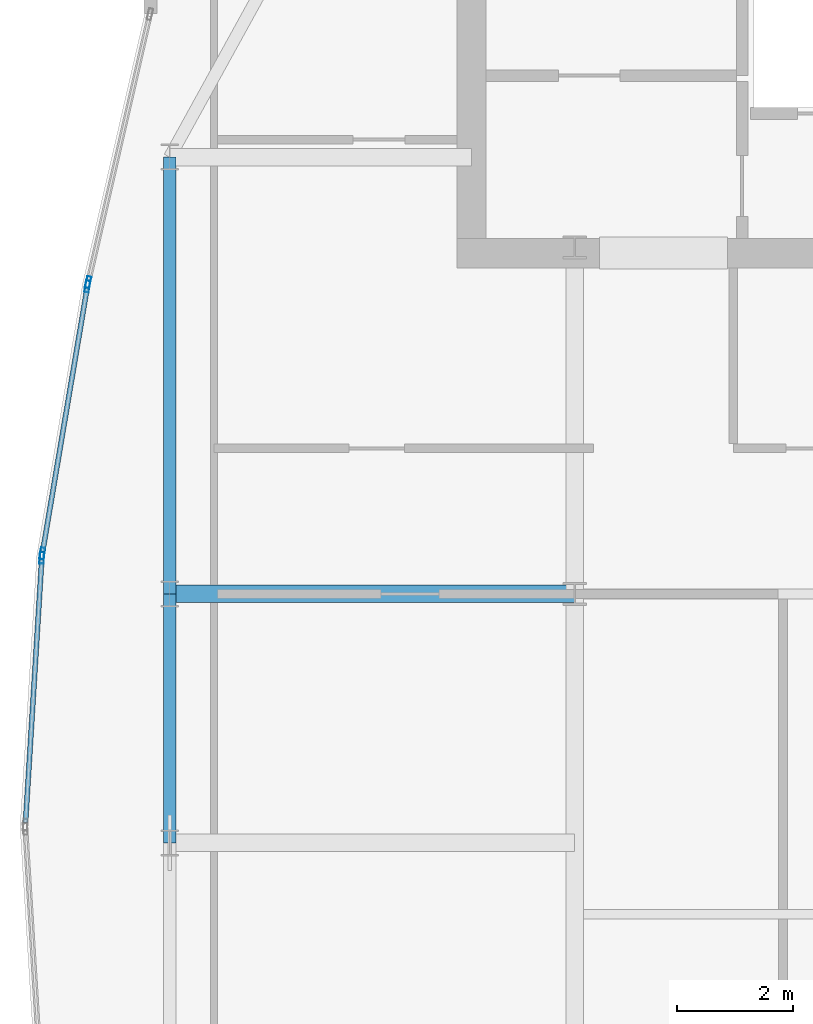
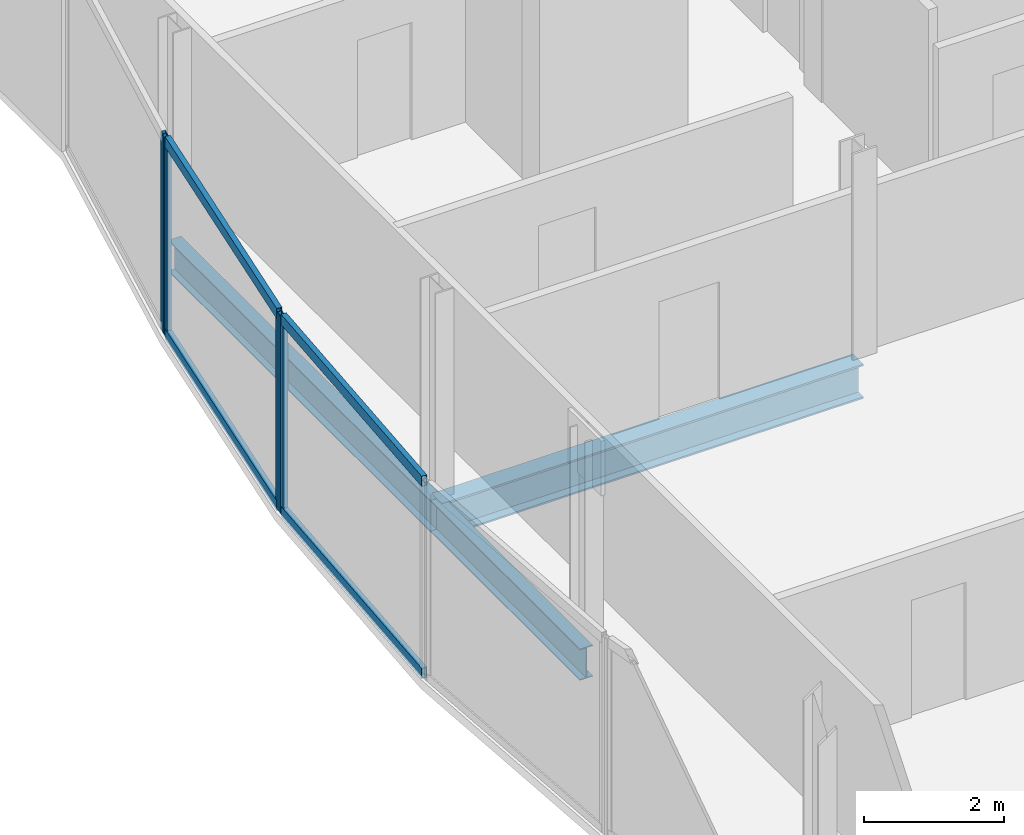
# One storey, part 12 of 29: 8 members, 3 beams, 3 elements without a shape of their own.
"""IFC4 building model written with IfcOpenShell, lengths in metres."""

from ifc_helpers import new_model, si_unit, direction, frame, origin, origin_2d, place, context, subcontext, project, spatial, hollow_rectangle, i_section, extrude, material, material_profile, profile_set, type_object, element, aggregate, save


model = new_model("IFC4")

# Units and contexts
model_context = context("Model", 3, precision=1e-05, world=origin(), true_north=direction((0.0, 1.0)))
body_context = subcontext(model_context, "Body", "Model", "MODEL_VIEW")
ifc_project = project(units=[si_unit("LENGTHUNIT", "METRE"), si_unit("AREAUNIT", "SQUARE_METRE"), si_unit("VOLUMEUNIT", "CUBIC_METRE"), si_unit("PLANEANGLEUNIT", "RADIAN"), si_unit("MASSUNIT", "GRAM", prefix="KILO")], contexts=[model_context])

# Site, building, storey
site_placement = place(None, origin())
site = spatial("IfcSite", under=ifc_project, at=site_placement, CompositionType="ELEMENT")
building_placement = place(site_placement, origin())
building = spatial("IfcBuilding", under=site, at=building_placement, Name="Khoronbel Lancet Exchange", CompositionType="ELEMENT")
storey_placement = place(building_placement, frame((0.0, 0.0, 321.800048828125)))
storey = spatial("IfcBuildingStorey", under=building, at=storey_placement, Name="L83", CompositionType="ELEMENT", Elevation=321.800048828125)

# Beams
ifc_material_1 = material(Name="Steel S355", Category="steel")
ifc_material_profile_1 = material_profile(ifc_material_1, i_section(OverallWidth=0.300048828125, OverallDepth=0.60009765625, WebThickness=0.015380859375, FlangeThickness=0.030029296875, at=origin_2d()), Name="HEB 600")
ifc_profile_set_1 = profile_set([ifc_material_profile_1], Name="Steel S355")
beam_type_1 = type_object("IfcBeamType", Name="BM-BG5", PredefinedType="BEAM", material=ifc_profile_set_1)
beam_1_placement = place(storey_placement, frame((11.27001953125, 35.699951171875, -0.4599609375), z_axis=(1.0, 0.0, 0.0), x_axis=(0.0, 1.0, 0.0)))
element("IfcBeam", 1, at=beam_1_placement, inside=storey, type_object=beam_type_1, Name="Level L83 west lens tie girder LG4W", PredefinedType="BEAM", context=body_context, shape_type="SweptSolid", body=[
    extrude(i_section(OverallWidth=0.300048828125, OverallDepth=0.60009765625, WebThickness=0.015380859375, FlangeThickness=0.030029296875, at=origin_2d()), origin(), (0.0, 0.0, 1.0), 6.955078125),
])
ifc_material_profile_2 = material_profile(ifc_material_1, i_section(OverallWidth=0.2099609375, OverallDepth=0.550048828125, WebThickness=0.010986328125, FlangeThickness=0.01708984375, at=origin_2d()), Name="IPE 550")
ifc_profile_set_2 = profile_set([ifc_material_profile_2], Name="Steel S355")
beam_type_2 = type_object("IfcBeamType", Name="BM-BSP3", PredefinedType="SPANDREL", material=ifc_profile_set_2)
beam_2_placement = place(storey_placement, frame((11.27001953125, 43.199951171875, -0.43505859375), z_axis=(0.0, -1.0, 0.0), x_axis=(1.0, 0.0, 0.0)))
element("IfcBeam", 2, at=beam_2_placement, inside=storey, type_object=beam_type_2, Name="Level L83 perimeter spandrel beam SP15", PredefinedType="SPANDREL", context=body_context, shape_type="SweptSolid", body=[
    extrude(i_section(OverallWidth=0.2099609375, OverallDepth=0.550048828125, WebThickness=0.010986328125, FlangeThickness=0.01708984375, at=origin_2d()), origin(), (0.0, 0.0, 1.0), 7.5),
])
beam_3_placement = place(storey_placement, frame((11.27001953125, 35.699951171875, -0.43505859375), z_axis=(0.0, -1.0, 0.0), x_axis=(1.0, 0.0, 0.0)))
element("IfcBeam", 3, at=beam_3_placement, inside=storey, type_object=beam_type_2, Name="Level L83 perimeter spandrel beam SP16", PredefinedType="SPANDREL", context=body_context, shape_type="SweptSolid", body=[
    extrude(i_section(OverallWidth=0.2099609375, OverallDepth=0.550048828125, WebThickness=0.010986328125, FlangeThickness=0.01708984375, at=origin_2d()), origin(), (0.0, 0.0, 1.0), 4.27490234375),
])

# Curtain wall, member
ifc_material_2 = material(Name="Low-E Solar Control Insulating Glass", Category="glass")
curtain_wall_type = type_object("IfcCurtainWallType", Name="CW-4", PredefinedType="NOTDEFINED", material=ifc_material_2)
curtain_wall_1_placement = place(storey_placement, origin())
curtain_wall_1 = element("IfcCurtainWall", 4, at=curtain_wall_1_placement, inside=storey, type_object=curtain_wall_type, Name="Unitised curtain wall CW-L83-E07", PredefinedType="NOTDEFINED")
ifc_material_3 = material(Name="Bronze-Anodised Aluminium 6063-T6", Category="aluminium")
ifc_material_profile_3 = material_profile(ifc_material_3, hollow_rectangle(XDim=0.074951171875, YDim=0.199951171875, WallThickness=0.0048828125, at=origin_2d()), Name="ALU MULLION 75x200")
ifc_profile_set_3 = profile_set([ifc_material_profile_3], Name="Bronze-Anodised Aluminium 6063-T6")
member_type_1 = type_object("IfcMemberType", Name="MEM-CWM2", PredefinedType="MULLION", material=ifc_profile_set_3)
member_1_placement = place(storey_placement, frame((9.0751953125, 36.319091796875, 0.0), z_axis=(0.0, 0.0, 1.0), x_axis=(-0.99810197089, 0.061582917317, 0.0)))
member_1 = element("IfcMember", 5, at=member_1_placement, type_object=member_type_1, Name="CW4 mullion 2", PredefinedType="MULLION", context=body_context, shape_type="SweptSolid", body=[
    extrude(hollow_rectangle(XDim=0.074951171875, YDim=0.199951171875, WallThickness=0.0048828125, at=origin_2d()), origin(), (0.0, 0.0, 1.0), 3.43994140625),
])

# Curtain wall, members
curtain_wall_2_placement = place(storey_placement, origin())
curtain_wall_2 = element("IfcCurtainWall", 6, at=curtain_wall_2_placement, inside=storey, type_object=curtain_wall_type, Name="Unitised curtain wall CW-L83-E08", PredefinedType="NOTDEFINED")
member_2_placement = place(storey_placement, frame((9.083740234375, 36.393310546875, 0.0), z_axis=(0.0, 0.0, 1.0), x_axis=(-0.986074631142, 0.166303402909, 0.0)))
member_2 = element("IfcMember", 7, at=member_2_placement, type_object=member_type_1, Name="CW4 mullion 1", PredefinedType="MULLION", context=body_context, shape_type="SweptSolid", body=[
    extrude(hollow_rectangle(XDim=0.074951171875, YDim=0.199951171875, WallThickness=0.0048828125, at=origin_2d()), origin(), (0.0, 0.0, 1.0), 3.43994140625),
])
member_3_placement = place(storey_placement, frame((9.857177734375, 40.978759765625, 0.0), z_axis=(0.0, 0.0, 1.0), x_axis=(-0.986074631142, 0.166303402909, 0.0)))
member_3 = element("IfcMember", 8, at=member_3_placement, type_object=member_type_1, Name="CW4 mullion 2", PredefinedType="MULLION", context=body_context, shape_type="SweptSolid", body=[
    extrude(hollow_rectangle(XDim=0.074951171875, YDim=0.199951171875, WallThickness=0.0048828125, at=origin_2d()), origin(), (0.0, 0.0, 1.0), 3.43994140625),
])

# Curtain wall, member
curtain_wall_3_placement = place(storey_placement, origin())
curtain_wall_3 = element("IfcCurtainWall", 9, at=curtain_wall_3_placement, inside=storey, type_object=curtain_wall_type, Name="Unitised curtain wall CW-L83-E09", PredefinedType="NOTDEFINED")
member_4_placement = place(storey_placement, frame((9.871826171875, 41.05224609375, 0.0), z_axis=(0.0, 0.0, 1.0), x_axis=(-0.974479667701, 0.224475783189, 0.0)))
member_4 = element("IfcMember", 10, at=member_4_placement, type_object=member_type_1, Name="CW4 mullion 1", PredefinedType="MULLION", context=body_context, shape_type="SweptSolid", body=[
    extrude(hollow_rectangle(XDim=0.074951171875, YDim=0.199951171875, WallThickness=0.0048828125, at=origin_2d()), origin(), (0.0, 0.0, 1.0), 3.43994140625),
])
aggregate(curtain_wall_3, [member_4])

# Member
ifc_material_profile_4 = material_profile(ifc_material_3, hollow_rectangle(XDim=0.0849609375, YDim=0.179931640625, WallThickness=0.0048828125, at=origin_2d()), Name="ALU TRANSOM 85x180")
ifc_profile_set_4 = profile_set([ifc_material_profile_4], Name="Bronze-Anodised Aluminium 6063-T6")
member_type_2 = type_object("IfcMemberType", Name="MEM-CWT1", PredefinedType="USERDEFINED", material=ifc_profile_set_4)
member_5_placement = place(storey_placement, frame((8.794921875, 31.77490234375, 0.04248046875), z_axis=(0.061587184838, 0.998101707575, 0.0), x_axis=(-0.998101707575, 0.061587184838, 0.0)))
member_5 = element("IfcMember", 11, at=member_5_placement, type_object=member_type_2, Name="CW4 transom 1.1", ObjectType="TRANSOM", PredefinedType="USERDEFINED", context=body_context, shape_type="SweptSolid", body=[
    extrude(hollow_rectangle(XDim=0.0849609375, YDim=0.179931640625, WallThickness=0.0048828125, at=origin_2d()), origin(), (0.0, 0.0, 1.0), 4.51513671875),
])

member_6_placement = place(storey_placement, frame((8.794921875, 31.77490234375, 3.3974609375), z_axis=(0.061587184838, 0.998101707575, 0.0), x_axis=(-0.998101707575, 0.061587184838, 0.0)))
member_6 = element("IfcMember", 12, at=member_6_placement, type_object=member_type_2, Name="CW4 transom 1.2", ObjectType="TRANSOM", PredefinedType="USERDEFINED", context=body_context, shape_type="SweptSolid", body=[
    extrude(hollow_rectangle(XDim=0.0849609375, YDim=0.179931640625, WallThickness=0.0048828125, at=origin_2d()), origin(), (0.0, 0.0, 1.0), 4.51513671875),
])

aggregate(curtain_wall_1, [member_1, member_5, member_6])

member_7_placement = place(storey_placement, frame((9.090087890625, 36.430419921875, 0.04248046875), z_axis=(0.166285210024, 0.986077699234, 0.0), x_axis=(-0.986077699234, 0.166285210024, 0.0)))
member_7 = element("IfcMember", 13, at=member_7_placement, type_object=member_type_2, Name="CW4 transom 1.1", ObjectType="TRANSOM", PredefinedType="USERDEFINED", context=body_context, shape_type="SweptSolid", body=[
    extrude(hollow_rectangle(XDim=0.0849609375, YDim=0.179931640625, WallThickness=0.0048828125, at=origin_2d()), origin(), (0.0, 0.0, 1.0), 4.574951171875),
])

member_8_placement = place(storey_placement, frame((9.090087890625, 36.430419921875, 3.3974609375), z_axis=(0.166285210024, 0.986077699234, 0.0), x_axis=(-0.986077699234, 0.166285210024, 0.0)))
member_8 = element("IfcMember", 14, at=member_8_placement, type_object=member_type_2, Name="CW4 transom 1.2", ObjectType="TRANSOM", PredefinedType="USERDEFINED", context=body_context, shape_type="SweptSolid", body=[
    extrude(hollow_rectangle(XDim=0.0849609375, YDim=0.179931640625, WallThickness=0.0048828125, at=origin_2d()), origin(), (0.0, 0.0, 1.0), 4.574951171875),
])

aggregate(curtain_wall_2, [member_2, member_3, member_7, member_8])

save(model, "model.ifc")
